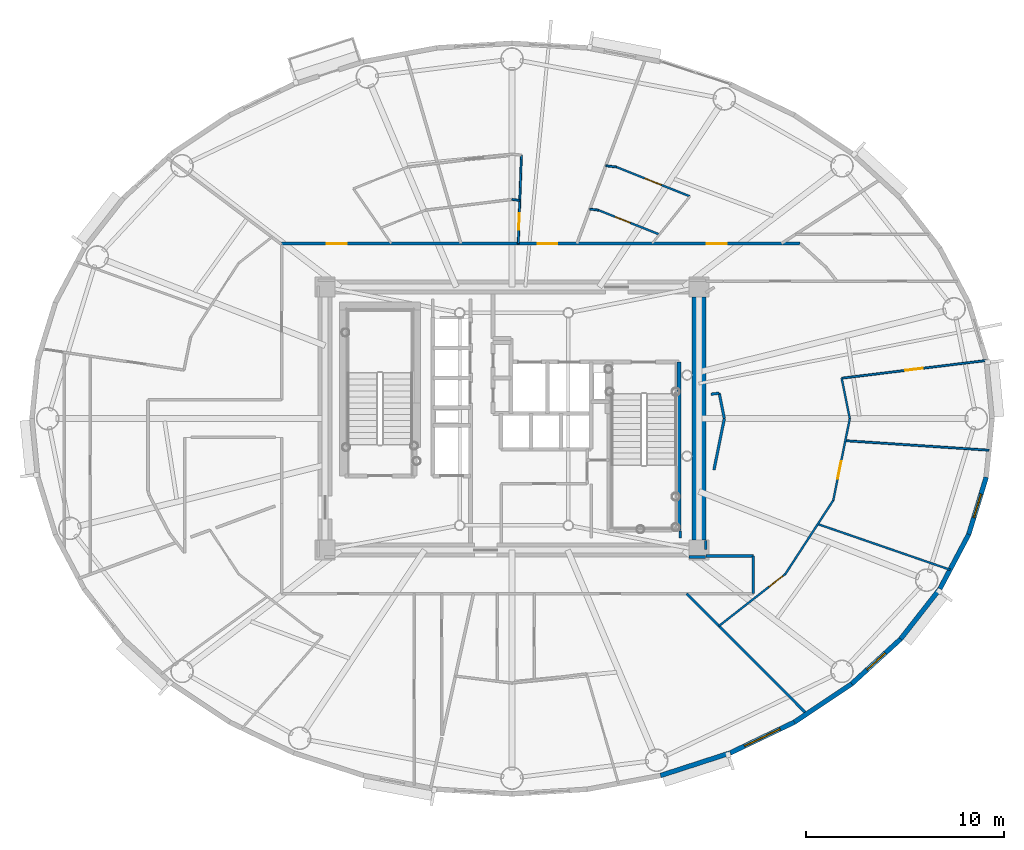
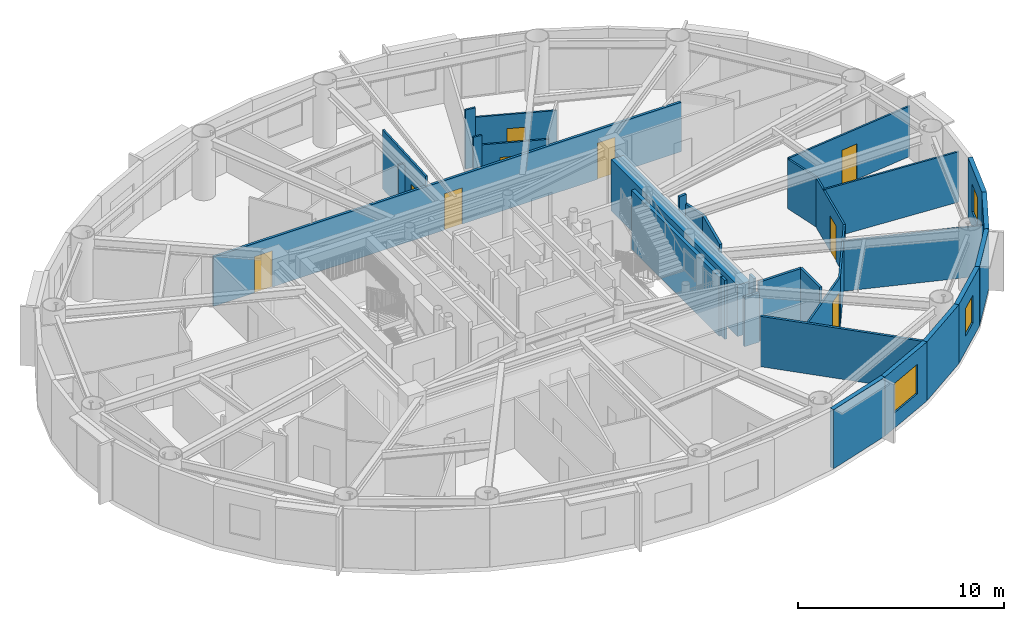
# One storey, part 10 of 19: 32 walls, 9 doors, 3 windows, 12 openings.
"""IFC4 building model written with IfcOpenShell, lengths in metres."""

from ifc_helpers import new_model, si_unit, direction, frame, frame_2d, origin, origin_2d, place, context, subcontext, project, spatial, rectangle, extrude, source, transform, mapped, material, layer, layer_set, type_object, element, fill, save


model = new_model("IFC4")

# Units and contexts
model_context = context("Model", 3, precision=1e-05, world=origin(), true_north=direction((0.0, 1.0)))
body_context = subcontext(model_context, "Body", "Model", "MODEL_VIEW")
ifc_project = project(units=[si_unit("LENGTHUNIT", "METRE"), si_unit("AREAUNIT", "SQUARE_METRE"), si_unit("VOLUMEUNIT", "CUBIC_METRE"), si_unit("PLANEANGLEUNIT", "RADIAN"), si_unit("MASSUNIT", "GRAM", prefix="KILO")], contexts=[model_context])

# Site, building, storey
site_placement = place(None, origin())
site = spatial("IfcSite", under=ifc_project, at=site_placement, CompositionType="ELEMENT")
building_placement = place(site_placement, origin())
building = spatial("IfcBuilding", under=site, at=building_placement, Name="Linh Dai School and Residence Tower", CompositionType="ELEMENT")
storey_placement = place(building_placement, frame((0.0, 0.0, 217.800048828125)))
storey = spatial("IfcBuildingStorey", under=building, at=storey_placement, Name="L53", CompositionType="ELEMENT", Elevation=217.800048828125)

# Wall
ifc_material_1 = material(Name="Precast Concrete B45 (C35/45)", Category="concrete")
ifc_layer_1 = layer(ifc_material_1, 0.239990234375)
ifc_layer_set_1 = layer_set([ifc_layer_1], Name="Precast Concrete B45 (C35/45)")
wall_type_1 = type_object("IfcWallType", Name="EW-TC-240", PredefinedType="SOLIDWALL", material=ifc_layer_set_1)
wall_1_placement = place(storey_placement, frame((47.031005859375, 10.093505859375, 0.0), z_axis=(0.0, 0.0, 1.0), x_axis=(-0.951210789182, -0.308541787354, 0.0)))
element("IfcWall", 1, at=wall_1_placement, inside=storey, type_object=wall_type_1, Name="L53 Terracotta Exterior Wall 33", PredefinedType="SOLIDWALL", context=body_context, shape_type="SweptSolid", body=[
    extrude(rectangle(XDim=3.702392578125, YDim=0.239990234375, at=frame_2d((1.85107421875, 0.0))), origin(), (0.0, 0.0, 1.0), 3.5),
])

# Wall, opening, window
wall_2_placement = place(storey_placement, frame((50.280029296875, 11.65234375, 0.0), z_axis=(0.0, 0.0, 1.0), x_axis=(-0.901598104751, -0.432574684313, 0.0)))
wall_2 = element("IfcWall", 2, at=wall_2_placement, inside=storey, type_object=wall_type_1, Name="L53 Terracotta Exterior Wall 34", PredefinedType="SOLIDWALL", context=body_context, shape_type="SweptSolid", body=[
    extrude(rectangle(XDim=3.603515625, YDim=0.239990234375, at=frame_2d((1.8017578125, 0.0))), origin(), (0.0, 0.0, 1.0), 3.5),
])
opening_1_placement = place(wall_2_placement, frame((0.802001953125, 0.0, 0.89990234375)))
opening_1 = element("IfcOpeningElement", 3, at=opening_1_placement, cuts=wall_2, Name="Opening W1", PredefinedType="OPENING", context=body_context, shape_type="SweptSolid", body=[
    extrude(rectangle(XDim=2.0, YDim=1.75, at=origin_2d()), frame((1.0, 0.1298828125, 0.875), z_axis=(0.0, -1.0, 0.0), x_axis=(1.0, 0.0, 0.0)), (0.0, 0.0, 1.0), 0.260009765625),
])
ifc_material_2 = material(Name="Double Low-E Insulated Glazing", Category="glass")
window_type_1 = type_object("IfcWindowType", Name="WN-RES-2000x1750", PartitioningType="DOUBLE_PANEL_VERTICAL", PredefinedType="WINDOW", material=ifc_material_2)
shared_shape_1 = source(origin(), body_context, "Body", "SweptSolid", [
    extrude(rectangle(XDim=2.0, YDim=1.75, at=origin_2d()), frame((1.0, 0.030029296875, 0.875), z_axis=(0.0, -1.0, 0.0), x_axis=(1.0, 0.0, 0.0)), (0.0, 0.0, 1.0), 0.06005859375),
])
window_1_placement = place(opening_1_placement, origin())
window_1 = element("IfcWindow", 4, at=window_1_placement, inside=storey, type_object=window_type_1, Name="L53 Exterior Window 34.1", OverallHeight=1.75, OverallWidth=2.0, PartitioningType="DOUBLE_PANEL_VERTICAL", PredefinedType="WINDOW", context=body_context, shape_type="MappedRepresentation", body=[
    mapped(shared_shape_1, transform((0.0, 0.0, 0.0), x_axis=(1.0, 0.0, 0.0), y_axis=(0.0, 1.0, 0.0), z_axis=(0.0, 0.0, 1.0), scale=1.0)),
])
fill(opening_1, window_1)

# Wall
wall_3_placement = place(storey_placement, frame((53.17626953125, 13.589111328125, 0.0), z_axis=(0.0, 0.0, 1.0), x_axis=(-0.831262496074, -0.555880079352, 0.0)))
element("IfcWall", 5, at=wall_3_placement, inside=storey, type_object=wall_type_1, Name="L53 Terracotta Exterior Wall 35", PredefinedType="SOLIDWALL", context=body_context, shape_type="SweptSolid", body=[
    extrude(rectangle(XDim=3.484130859375, YDim=0.239990234375, at=frame_2d((1.7421875, 0.0))), origin(), (0.0, 0.0, 1.0), 3.5),
])

# Wall, opening, window
wall_4_placement = place(storey_placement, frame((55.6484375, 15.85546875, 0.0), z_axis=(0.0, 0.0, 1.0), x_axis=(-0.737123922599, -0.675757591694, 0.0)))
wall_4 = element("IfcWall", 6, at=wall_4_placement, inside=storey, type_object=wall_type_1, Name="L53 Terracotta Exterior Wall 36", PredefinedType="SOLIDWALL", context=body_context, shape_type="SweptSolid", body=[
    extrude(rectangle(XDim=3.353759765625, YDim=0.239990234375, at=frame_2d((1.6767578125, 0.0))), origin(), (0.0, 0.0, 1.0), 3.5),
])
opening_2_placement = place(wall_4_placement, frame((1.0517578125, 0.0, 0.89990234375)))
opening_2 = element("IfcOpeningElement", 7, at=opening_2_placement, cuts=wall_4, Name="Opening W3", PredefinedType="OPENING", context=body_context, shape_type="SweptSolid", body=[
    extrude(rectangle(XDim=1.25, YDim=1.64990234375, at=origin_2d()), frame((0.625, 0.1298828125, 0.824951171875), z_axis=(0.0, -1.0, 0.0), x_axis=(1.0, 0.0, 0.0)), (0.0, 0.0, 1.0), 0.260009765625),
])
window_type_2 = type_object("IfcWindowType", Name="WN-RES-1250x1650", PartitioningType="SINGLE_PANEL", PredefinedType="WINDOW", material=ifc_material_2)
shared_shape_2 = source(origin(), body_context, "Body", "SweptSolid", [
    extrude(rectangle(XDim=1.25, YDim=1.64990234375, at=origin_2d()), frame((0.625, 0.030029296875, 0.824951171875), z_axis=(0.0, -1.0, 0.0), x_axis=(1.0, 0.0, 0.0)), (0.0, 0.0, 1.0), 0.06005859375),
])
window_2_placement = place(opening_2_placement, origin())
window_2 = element("IfcWindow", 8, at=window_2_placement, inside=storey, type_object=window_type_2, Name="L53 Dwelling Window U5307-BD1", OverallHeight=1.64990234375, OverallWidth=1.25, PartitioningType="SINGLE_PANEL", PredefinedType="WINDOW", context=body_context, shape_type="MappedRepresentation", body=[
    mapped(shared_shape_2, transform((0.0, 0.0, 0.0), x_axis=(1.0, 0.0, 0.0), y_axis=(0.0, 1.0, 0.0), z_axis=(0.0, 0.0, 1.0), scale=1.0)),
])
fill(opening_2, window_2)

# Walls
wall_5_placement = place(storey_placement, frame((57.6357421875, 18.394775390625, 0.0), z_axis=(0.0, 0.0, 1.0), x_axis=(-0.616312344705, -0.787501805562, 0.0)))
element("IfcWall", 9, at=wall_5_placement, inside=storey, type_object=wall_type_1, Name="L53 Terracotta Exterior Wall 37", PredefinedType="SOLIDWALL", context=body_context, shape_type="SweptSolid", body=[
    extrude(rectangle(XDim=3.224609375, YDim=0.239990234375, at=frame_2d((1.6123046875, 0.0))), origin(), (0.0, 0.0, 1.0), 3.5),
])
wall_6_placement = place(storey_placement, frame((59.09033203125, 21.14404296875, 0.0), z_axis=(0.0, 0.0, 1.0), x_axis=(-0.46766049993, -0.883908172157, 0.0)))
element("IfcWall", 10, at=wall_6_placement, inside=storey, type_object=wall_type_1, Name="L53 Terracotta Exterior Wall 38", PredefinedType="SOLIDWALL", context=body_context, shape_type="SweptSolid", body=[
    extrude(rectangle(XDim=3.1103515625, YDim=0.239990234375, at=frame_2d((1.55517578125, 0.0))), origin(), (0.0, 0.0, 1.0), 3.5),
])

# Wall, opening, window
wall_7_placement = place(storey_placement, frame((59.97705078125, 24.0361328125, 0.0), z_axis=(0.0, 0.0, 1.0), x_axis=(-0.293132907334, -0.95607170162, 0.0)))
wall_7 = element("IfcWall", 11, at=wall_7_placement, inside=storey, type_object=wall_type_1, Name="L53 Terracotta Exterior Wall 39", PredefinedType="SOLIDWALL", context=body_context, shape_type="SweptSolid", body=[
    extrude(rectangle(XDim=3.02490234375, YDim=0.239990234375, at=frame_2d((1.512451171875, 0.0))), origin(), (0.0, 0.0, 1.0), 3.5),
])
opening_3_placement = place(wall_7_placement, frame((0.887451171875, 0.0, 0.89990234375)))
opening_3 = element("IfcOpeningElement", 12, at=opening_3_placement, cuts=wall_7, Name="Opening W3", PredefinedType="OPENING", context=body_context, shape_type="SweptSolid", body=[
    extrude(rectangle(XDim=1.25, YDim=1.64990234375, at=origin_2d()), frame((0.625, 0.1298828125, 0.824951171875), z_axis=(0.0, -1.0, 0.0), x_axis=(1.0, 0.0, 0.0)), (0.0, 0.0, 1.0), 0.260009765625),
])
window_3_placement = place(opening_3_placement, origin())
window_3 = element("IfcWindow", 13, at=window_3_placement, inside=storey, type_object=window_type_2, Name="L53 Exterior Window 39.1", OverallHeight=1.64990234375, OverallWidth=1.25, PartitioningType="SINGLE_PANEL", PredefinedType="WINDOW", context=body_context, shape_type="MappedRepresentation", body=[
    mapped(shared_shape_2, transform((0.0, 0.0, 0.0), x_axis=(1.0, 0.0, 0.0), y_axis=(0.0, 1.0, 0.0), z_axis=(0.0, 0.0, 1.0), scale=1.0)),
])
fill(opening_3, window_3)

# Wall, openings, doors
ifc_material_3 = material(Name="Autoclaved Aerated Concrete Blockwork", Category="masonry")
ifc_layer_2 = layer(ifc_material_3, 0.135009765625)
ifc_layer_set_2 = layer_set([ifc_layer_2], Name="Autoclaved Aerated Concrete Blockwork")
wall_type_2 = type_object("IfcWallType", Name="IW-CORR-135-EI90", PredefinedType="PARTITIONING", material=ifc_layer_set_2)
wall_8_placement = place(storey_placement, frame((24.35009765625, 35.85009765625, 0.0), z_axis=(0.0, 0.0, 1.0), x_axis=(1.0, 0.0, 0.0)))
wall_8 = element("IfcWall", 14, at=wall_8_placement, inside=storey, type_object=wall_type_2, Name="L53 Interior Partition Wall 023", PredefinedType="PARTITIONING", context=body_context, shape_type="SweptSolid", body=[
    extrude(rectangle(XDim=26.2177734375, YDim=0.135009765625, at=frame_2d((13.10888671875, 0.0))), origin(), (0.0, 0.0, 1.0), 2.93505859375),
])
opening_4_placement = place(wall_8_placement, frame((21.506591796875, 0.0, 0.0)))
opening_4 = element("IfcOpeningElement", 15, at=opening_4_placement, cuts=wall_8, Name="Opening D03", PredefinedType="OPENING", context=body_context, shape_type="SweptSolid", body=[
    extrude(rectangle(XDim=1.0, YDim=2.14990234375, at=origin_2d()), frame((0.5, 0.07763671875, 1.074951171875), z_axis=(0.0, -1.0, 0.0), x_axis=(1.0, 0.0, 0.0)), (0.0, 0.0, 1.0), 0.155029296875),
])
opening_5_placement = place(wall_8_placement, frame((12.9501953125, 0.0, 0.0)))
opening_5 = element("IfcOpeningElement", 16, at=opening_5_placement, cuts=wall_8, Name="Opening D03", PredefinedType="OPENING", context=body_context, shape_type="SweptSolid", body=[
    extrude(rectangle(XDim=1.0, YDim=2.14990234375, at=origin_2d()), frame((0.5, 0.07763671875, 1.074951171875), z_axis=(0.0, -1.0, 0.0), x_axis=(1.0, 0.0, 0.0)), (0.0, 0.0, 1.0), 0.155029296875),
])
opening_6_placement = place(wall_8_placement, frame((2.293212890625, 0.0, 0.0)))
opening_6 = element("IfcOpeningElement", 17, at=opening_6_placement, cuts=wall_8, Name="Opening D03", PredefinedType="OPENING", context=body_context, shape_type="SweptSolid", body=[
    extrude(rectangle(XDim=1.0, YDim=2.14990234375, at=origin_2d()), frame((0.5, 0.07763671875, 1.074951171875), z_axis=(0.0, -1.0, 0.0), x_axis=(1.0, 0.0, 0.0)), (0.0, 0.0, 1.0), 0.155029296875),
])
ifc_material_4 = material(Name="Fire-Rated Solid Timber Entrance Door", Category="wood")
door_type_1 = type_object("IfcDoorType", Name="DR-FLAT-1000x2150-FD60S", OperationType="NOTDEFINED", PredefinedType="DOOR", material=ifc_material_4)
shared_shape_3 = source(origin(), body_context, "Body", "SweptSolid", [
    extrude(rectangle(XDim=1.0, YDim=2.14990234375, at=origin_2d()), frame((0.5, 0.02490234375, 1.074951171875), z_axis=(0.0, -1.0, 0.0), x_axis=(1.0, 0.0, 0.0)), (0.0, 0.0, 1.0), 0.050048828125),
])
door_1_placement = place(opening_4_placement, origin())
door_1 = element("IfcDoor", 18, at=door_1_placement, inside=storey, type_object=door_type_1, Name="L53 U5301 Apartment Entrance Door", OperationType="SINGLE_SWING_RIGHT", OverallHeight=2.14990234375, OverallWidth=1.0, PredefinedType="DOOR", context=body_context, shape_type="MappedRepresentation", body=[
    mapped(shared_shape_3, transform((0.0, 0.0, 0.0), x_axis=(1.0, 0.0, 0.0), y_axis=(0.0, 1.0, 0.0), z_axis=(0.0, 0.0, 1.0), scale=1.0)),
])
fill(opening_4, door_1)
door_2_placement = place(opening_5_placement, origin())
door_2 = element("IfcDoor", 19, at=door_2_placement, inside=storey, type_object=door_type_1, Name="L53 U5302 Apartment Entrance Door", OperationType="SINGLE_SWING_LEFT", OverallHeight=2.14990234375, OverallWidth=1.0, PredefinedType="DOOR", context=body_context, shape_type="MappedRepresentation", body=[
    mapped(shared_shape_3, transform((0.0, 0.0, 0.0), x_axis=(1.0, 0.0, 0.0), y_axis=(0.0, 1.0, 0.0), z_axis=(0.0, 0.0, 1.0), scale=1.0)),
])
fill(opening_5, door_2)
door_3_placement = place(opening_6_placement, origin())
door_3 = element("IfcDoor", 20, at=door_3_placement, inside=storey, type_object=door_type_1, Name="L53 U5303 Apartment Entrance Door", OperationType="SINGLE_SWING_RIGHT", OverallHeight=2.14990234375, OverallWidth=1.0, PredefinedType="DOOR", context=body_context, shape_type="MappedRepresentation", body=[
    mapped(shared_shape_3, transform((0.0, 0.0, 0.0), x_axis=(1.0, 0.0, 0.0), y_axis=(0.0, 1.0, 0.0), z_axis=(0.0, 0.0, 1.0), scale=1.0)),
])
fill(opening_6, door_3)

# Walls
wall_9_placement = place(storey_placement, frame((44.83349609375, 18.14990234375, 0.0), z_axis=(0.0, 0.0, 1.0), x_axis=(0.706467502326, -0.707745482612, 0.0)))
element("IfcWall", 21, at=wall_9_placement, inside=storey, type_object=wall_type_2, Name="L53 Interior Partition Wall 080", PredefinedType="PARTITIONING", context=body_context, shape_type="SweptSolid", body=[
    extrude(rectangle(XDim=8.5966796875, YDim=0.135009765625, at=frame_2d((4.29833984375, 0.0))), origin(), (0.0, 0.0, 1.0), 2.98486328125),
])
wall_10_placement = place(storey_placement, frame((45.800048828125, 20.050048828125, 0.0), z_axis=(0.0, 0.0, 1.0), x_axis=(1.0, 0.0, 0.0)))
element("IfcWall", 22, at=wall_10_placement, inside=storey, type_object=wall_type_2, Name="L53 Interior Partition Wall 081", PredefinedType="PARTITIONING", context=body_context, shape_type="SweptSolid", body=[
    extrude(rectangle(XDim=2.39990234375, YDim=0.135009765625, at=frame_2d((1.199951171875, 0.0))), origin(), (0.0, 0.0, 1.0), 3.5),
])
wall_11_placement = place(storey_placement, frame((48.199951171875, 18.14990234375, 0.0), z_axis=(0.0, 0.0, 1.0), x_axis=(0.0, 1.0, 0.0)))
element("IfcWall", 23, at=wall_11_placement, inside=storey, type_object=wall_type_2, Name="L53 Interior Partition Wall 084", PredefinedType="PARTITIONING", context=body_context, shape_type="SweptSolid", body=[
    extrude(rectangle(XDim=1.900146484375, YDim=0.135009765625, at=frame_2d((0.9501953125, 0.0))), origin(), (0.0, 0.0, 1.0), 3.5),
])
wall_12_placement = place(storey_placement, frame((44.5, 20.9599609375, 0.0), z_axis=(0.0, 0.0, 1.0), x_axis=(0.0, 1.0, 0.0)))
element("IfcWall", 24, at=wall_12_placement, inside=storey, type_object=wall_type_2, Name="L53 Interior Partition Wall 100", PredefinedType="PARTITIONING", context=body_context, shape_type="SweptSolid", body=[
    extrude(rectangle(XDim=0.360107421875, YDim=0.135009765625, at=frame_2d((0.18017578125, 0.0))), origin(), (0.0, 0.0, 1.0), 3.5),
])
wall_13_placement = place(storey_placement, frame((44.9599609375, 20.0, 0.0), z_axis=(0.0, 0.0, 1.0), x_axis=(1.0, 0.0, 0.0)))
element("IfcWall", 25, at=wall_13_placement, inside=storey, type_object=wall_type_2, Name="L53 Interior Partition Wall 109", PredefinedType="PARTITIONING", context=body_context, shape_type="SweptSolid", body=[
    extrude(rectangle(XDim=0.830078125, YDim=0.135009765625, at=frame_2d((0.4150390625, 0.0))), origin(), (0.0, 0.0, 1.0), 2.93505859375),
])
wall_14_placement = place(storey_placement, frame((45.800048828125, 20.37744140625, 0.0), z_axis=(0.0, 0.0, 1.0), x_axis=(0.0, 1.0, 0.0)))
element("IfcWall", 26, at=wall_14_placement, inside=storey, type_object=wall_type_2, Name="L53 Interior Partition Wall 114", PredefinedType="PARTITIONING", context=body_context, shape_type="SweptSolid", body=[
    extrude(rectangle(XDim=0.462646484375, YDim=0.135009765625, at=frame_2d((0.2314453125, 0.0))), origin(), (0.0, 0.0, 1.0), 3.5),
])
wall_15_placement = place(storey_placement, frame((46.21044921875, 24.40234375, 0.0), z_axis=(0.0, 0.0, 1.0), x_axis=(0.198330009585, 0.980135300506, 0.0)))
element("IfcWall", 27, at=wall_15_placement, inside=storey, type_object=wall_type_2, Name="L53 Interior Partition Wall 115", PredefinedType="PARTITIONING", context=body_context, shape_type="SweptSolid", body=[
    extrude(rectangle(XDim=2.650390625, YDim=0.135009765625, at=frame_2d((1.3251953125, 0.0))), origin(), (0.0, 0.0, 1.0), 2.93505859375),
])
wall_16_placement = place(storey_placement, frame((46.736083984375, 27.0, 0.0), z_axis=(0.0, 0.0, 1.0), x_axis=(-0.198267784349, 0.980147889703, 0.0)))
element("IfcWall", 28, at=wall_16_placement, inside=storey, type_object=wall_type_2, Name="L53 Interior Partition Wall 116", PredefinedType="PARTITIONING", context=body_context, shape_type="SweptSolid", body=[
    extrude(rectangle(XDim=1.308837890625, YDim=0.135009765625, at=frame_2d((0.654296875, 0.0))), origin(), (0.0, 0.0, 1.0), 2.93505859375),
])
wall_17_placement = place(storey_placement, frame((46.4765625, 28.282958984375, 0.0), z_axis=(0.0, 0.0, 1.0), x_axis=(-0.992649287811, -0.121026407893, 0.0)))
element("IfcWall", 29, at=wall_17_placement, inside=storey, type_object=wall_type_2, Name="L53 Interior Partition Wall 117", PredefinedType="PARTITIONING", context=body_context, shape_type="SweptSolid", body=[
    extrude(rectangle(XDim=0.419677734375, YDim=0.135009765625, at=frame_2d((0.2099609375, 0.0))), origin(), (0.0, 0.0, 1.0), 3.5),
])
ifc_material_5 = material(Name="Concrete B45 (C35/45)", Category="concrete")
ifc_layer_3 = layer(ifc_material_5, 0.199951171875)
ifc_layer_set_3 = layer_set([ifc_layer_3], Name="Concrete B45 (C35/45)")
wall_type_3 = type_object("IfcWallType", Name="IW-SHAFT-200-EI120", PredefinedType="PARTITIONING", material=ifc_layer_set_3)
wall_18_placement = place(storey_placement, frame((44.43994140625, 21.330078125, 0.0), z_axis=(0.0, 0.0, 1.0), x_axis=(0.0, 1.0, 0.0)))
element("IfcWall", 30, at=wall_18_placement, inside=storey, type_object=wall_type_3, Name="L53 Interior Partition Wall 079", PredefinedType="PARTITIONING", context=body_context, shape_type="SweptSolid", body=[
    extrude(rectangle(XDim=8.52001953125, YDim=0.199951171875, at=frame_2d((4.260009765625, 0.0))), origin(), (0.0, 0.0, 1.0), 3.5),
])
ifc_material_6 = material(Name="Gypsum Plasterboard Acoustic Stud Partition", Category="masonry")
ifc_layer_4 = layer(ifc_material_6, 0.10009765625)
ifc_layer_set_4 = layer_set([ifc_layer_4], Name="Gypsum Plasterboard Acoustic Stud Partition")
wall_type_4 = type_object("IfcWallType", Name="IW-UNIT-100", PredefinedType="PARTITIONING", material=ifc_layer_set_4)
wall_19_placement = place(storey_placement, frame((36.0, 38.080810546875, 0.0), z_axis=(0.0, 0.0, 1.0), x_axis=(0.99240043869, -0.123050271381, 0.0)))
element("IfcWall", 31, at=wall_19_placement, inside=storey, type_object=wall_type_4, Name="L53 Interior Partition Wall 059", PredefinedType="PARTITIONING", context=body_context, shape_type="SweptSolid", body=[
    extrude(rectangle(XDim=0.396728515625, YDim=0.10009765625, at=frame_2d((0.1982421875, 0.0))), origin(), (0.0, 0.0, 1.0), 2.93505859375),
])

# Wall, opening, door
wall_20_placement = place(storey_placement, frame((36.31591796875, 35.85009765625, 0.0), z_axis=(0.0, 0.0, 1.0), x_axis=(0.035687631784, 0.99936299358, 0.0)))
wall_20 = element("IfcWall", 32, at=wall_20_placement, inside=storey, type_object=wall_type_4, Name="L53 Interior Partition Wall 061", PredefinedType="PARTITIONING", context=body_context, shape_type="SweptSolid", body=[
    extrude(rectangle(XDim=4.46728515625, YDim=0.10009765625, at=frame_2d((2.233642578125, 0.0))), origin(), (0.0, 0.0, 1.0), 3.5),
])
opening_7_placement = place(wall_20_placement, frame((0.70166015625, 0.0, 0.0)))
opening_7 = element("IfcOpeningElement", 33, at=opening_7_placement, cuts=wall_20, Name="Opening D06", PredefinedType="OPENING", context=body_context, shape_type="SweptSolid", body=[
    extrude(rectangle(XDim=0.820068359375, YDim=2.10009765625, at=origin_2d()), frame((0.41015625, 0.06005859375, 1.050048828125), z_axis=(0.0, -1.0, 0.0), x_axis=(1.0, 0.0, 0.0)), (0.0, 0.0, 1.0), 0.1201171875),
])
ifc_material_7 = material(Name="Moisture-Resistant Timber Bathroom Door", Category="wood")
door_type_2 = type_object("IfcDoorType", Name="DR-WET-820x2100", OperationType="NOTDEFINED", PredefinedType="DOOR", material=ifc_material_7)
shared_shape_4 = source(origin(), body_context, "Body", "SweptSolid", [
    extrude(rectangle(XDim=0.820068359375, YDim=2.10009765625, at=origin_2d()), frame((0.41015625, 0.02490234375, 1.050048828125), z_axis=(0.0, -1.0, 0.0), x_axis=(1.0, 0.0, 0.0)), (0.0, 0.0, 1.0), 0.050048828125),
])
door_4_placement = place(opening_7_placement, origin())
door_4 = element("IfcDoor", 34, at=door_4_placement, inside=storey, type_object=door_type_2, Name="L53 Apartment U5302 Bathroom Door", OperationType="SINGLE_SWING_RIGHT", OverallHeight=2.10009765625, OverallWidth=0.820068359375, PredefinedType="DOOR", context=body_context, shape_type="MappedRepresentation", body=[
    mapped(shared_shape_4, transform((0.0, 0.0, 0.0), x_axis=(1.0, 0.0, 0.0), y_axis=(0.0, 1.0, 0.0), z_axis=(0.0, 0.0, 1.0), scale=1.0)),
])
fill(opening_7, door_4)

# Wall
wall_21_placement = place(storey_placement, frame((39.931884765625, 37.59326171875, 0.0), z_axis=(0.0, 0.0, 1.0), x_axis=(0.992412401992, -0.122953748919, 0.0)))
element("IfcWall", 35, at=wall_21_placement, inside=storey, type_object=wall_type_4, Name="L53 Interior Partition Wall 070", PredefinedType="PARTITIONING", context=body_context, shape_type="SweptSolid", body=[
    extrude(rectangle(XDim=0.44482421875, YDim=0.10009765625, at=frame_2d((0.222412109375, 0.0))), origin(), (0.0, 0.0, 1.0), 3.5),
])

# Wall, opening, door
wall_22_placement = place(storey_placement, frame((40.373291015625, 37.53857421875, 0.0), z_axis=(0.0, 0.0, 1.0), x_axis=(0.928801257211, -0.370578230071, 0.0)))
wall_22 = element("IfcWall", 36, at=wall_22_placement, inside=storey, type_object=wall_type_4, Name="L53 Interior Partition Wall 073", PredefinedType="PARTITIONING", context=body_context, shape_type="SweptSolid", body=[
    extrude(rectangle(XDim=3.31640625, YDim=0.10009765625, at=frame_2d((1.658203125, 0.0))), origin(), (0.0, 0.0, 1.0), 2.93505859375),
])
opening_8_placement = place(wall_22_placement, frame((0.90966796875, 0.0, 0.0)))
opening_8 = element("IfcOpeningElement", 37, at=opening_8_placement, cuts=wall_22, Name="Opening D06", PredefinedType="OPENING", context=body_context, shape_type="SweptSolid", body=[
    extrude(rectangle(XDim=0.820068359375, YDim=2.10009765625, at=origin_2d()), frame((0.41015625, 0.06005859375, 1.050048828125), z_axis=(0.0, -1.0, 0.0), x_axis=(1.0, 0.0, 0.0)), (0.0, 0.0, 1.0), 0.1201171875),
])
door_5_placement = place(opening_8_placement, origin())
door_5 = element("IfcDoor", 38, at=door_5_placement, inside=storey, type_object=door_type_2, Name="L53 Apartment U5301 Bathroom Door", OperationType="SINGLE_SWING_RIGHT", OverallHeight=2.10009765625, OverallWidth=0.820068359375, PredefinedType="DOOR", context=body_context, shape_type="MappedRepresentation", body=[
    mapped(shared_shape_4, transform((0.0, 0.0, 0.0), x_axis=(1.0, 0.0, 0.0), y_axis=(0.0, 1.0, 0.0), z_axis=(0.0, 0.0, 1.0), scale=1.0)),
])
fill(opening_8, door_5)

# Wall
wall_23_placement = place(storey_placement, frame((40.745361328125, 39.784912109375, 0.0), z_axis=(0.0, 0.0, 1.0), x_axis=(0.992431053699, -0.122803109303, 0.0)))
element("IfcWall", 39, at=wall_23_placement, inside=storey, type_object=wall_type_4, Name="L53 Interior Partition Wall 074", PredefinedType="PARTITIONING", context=body_context, shape_type="SweptSolid", body=[
    extrude(rectangle(XDim=0.536865234375, YDim=0.10009765625, at=frame_2d((0.2685546875, 0.0))), origin(), (0.0, 0.0, 1.0), 3.5),
])

# Wall, opening, door
wall_24_placement = place(storey_placement, frame((41.278076171875, 39.718994140625, 0.0), z_axis=(0.0, 0.0, 1.0), x_axis=(0.928808650267, -0.3705596999, 0.0)))
wall_24 = element("IfcWall", 40, at=wall_24_placement, inside=storey, type_object=wall_type_4, Name="L53 Interior Partition Wall 077", PredefinedType="PARTITIONING", context=body_context, shape_type="SweptSolid", body=[
    extrude(rectangle(XDim=4.00244140625, YDim=0.10009765625, at=frame_2d((2.001220703125, 0.0))), origin(), (0.0, 0.0, 1.0), 2.93505859375),
])
opening_9_placement = place(wall_24_placement, frame((1.55126953125, 0.0, 0.0)))
opening_9 = element("IfcOpeningElement", 41, at=opening_9_placement, cuts=wall_24, Name="Opening D05", PredefinedType="OPENING", context=body_context, shape_type="SweptSolid", body=[
    extrude(rectangle(XDim=0.89990234375, YDim=2.10009765625, at=origin_2d()), frame((0.449951171875, 0.06005859375, 1.050048828125), z_axis=(0.0, -1.0, 0.0), x_axis=(1.0, 0.0, 0.0)), (0.0, 0.0, 1.0), 0.1201171875),
])
ifc_material_8 = material(Name="Engineered Timber Internal Door", Category="wood")
door_type_3 = type_object("IfcDoorType", Name="DR-INT-900x2100", OperationType="NOTDEFINED", PredefinedType="DOOR", material=ifc_material_8)
shared_shape_5 = source(origin(), body_context, "Body", "SweptSolid", [
    extrude(rectangle(XDim=0.89990234375, YDim=2.10009765625, at=origin_2d()), frame((0.449951171875, 0.02490234375, 1.050048828125), z_axis=(0.0, -1.0, 0.0), x_axis=(1.0, 0.0, 0.0)), (0.0, 0.0, 1.0), 0.050048828125),
])
door_6_placement = place(opening_9_placement, origin())
door_6 = element("IfcDoor", 42, at=door_6_placement, inside=storey, type_object=door_type_3, Name="L53 Apartment U5301 Kitchen Door", OperationType="SINGLE_SWING_LEFT", OverallHeight=2.10009765625, OverallWidth=0.89990234375, PredefinedType="DOOR", context=body_context, shape_type="MappedRepresentation", body=[
    mapped(shared_shape_5, transform((0.0, 0.0, 0.0), x_axis=(1.0, 0.0, 0.0), y_axis=(0.0, 1.0, 0.0), z_axis=(0.0, 0.0, 1.0), scale=1.0)),
])
fill(opening_9, door_6)

wall_25_placement = place(storey_placement, frame((46.466064453125, 16.5146484375, 0.0), z_axis=(0.0, 0.0, 1.0), x_axis=(0.787371868093, 0.616478338092, 0.0)))
wall_25 = element("IfcWall", 43, at=wall_25_placement, inside=storey, type_object=wall_type_4, Name="L53 Interior Partition Wall 082", PredefinedType="PARTITIONING", context=body_context, shape_type="SweptSolid", body=[
    extrude(rectangle(XDim=4.25732421875, YDim=0.10009765625, at=frame_2d((2.128662109375, 0.0))), origin(), (0.0, 0.0, 1.0), 2.93505859375),
])
opening_10_placement = place(wall_25_placement, frame((3.206298828125, 0.0, 0.0)))
opening_10 = element("IfcOpeningElement", 44, at=opening_10_placement, cuts=wall_25, Name="Opening D05", PredefinedType="OPENING", context=body_context, shape_type="SweptSolid", body=[
    extrude(rectangle(XDim=0.89990234375, YDim=2.10009765625, at=origin_2d()), frame((0.449951171875, 0.06005859375, 1.050048828125), z_axis=(0.0, -1.0, 0.0), x_axis=(1.0, 0.0, 0.0)), (0.0, 0.0, 1.0), 0.1201171875),
])
door_7_placement = place(opening_10_placement, origin())
door_7 = element("IfcDoor", 45, at=door_7_placement, inside=storey, type_object=door_type_3, Name="L53 Apartment U5307 Principal Bedroom 1 Door", OperationType="SINGLE_SWING_RIGHT", OverallHeight=2.10009765625, OverallWidth=0.89990234375, PredefinedType="DOOR", context=body_context, shape_type="MappedRepresentation", body=[
    mapped(shared_shape_5, transform((0.0, 0.0, 0.0), x_axis=(1.0, 0.0, 0.0), y_axis=(0.0, 1.0, 0.0), z_axis=(0.0, 0.0, 1.0), scale=1.0)),
])
fill(opening_10, door_7)

# Walls
wall_26_placement = place(storey_placement, frame((49.818115234375, 19.13916015625, 0.0), z_axis=(0.0, 0.0, 1.0), x_axis=(0.545406924684, 0.83817139447, 0.0)))
element("IfcWall", 46, at=wall_26_placement, inside=storey, type_object=wall_type_4, Name="L53 Interior Partition Wall 086", PredefinedType="PARTITIONING", context=body_context, shape_type="SweptSolid", body=[
    extrude(rectangle(XDim=4.447998046875, YDim=0.10009765625, at=frame_2d((2.22412109375, 0.0))), origin(), (0.0, 0.0, 1.0), 2.93505859375),
])
wall_27_placement = place(storey_placement, frame((51.4619140625, 21.665283203125, 0.0), z_axis=(0.0, 0.0, 1.0), x_axis=(0.945326038311, -0.326126787142, 0.0)))
element("IfcWall", 47, at=wall_27_placement, inside=storey, type_object=wall_type_4, Name="L53 Interior Partition Wall 089", PredefinedType="PARTITIONING", context=body_context, shape_type="SweptSolid", body=[
    extrude(rectangle(XDim=7.075927734375, YDim=0.10009765625, at=frame_2d((3.5380859375, 0.0))), origin(), (0.0, 0.0, 1.0), 2.98486328125),
])

# Wall, opening, door
wall_28_placement = place(storey_placement, frame((52.244140625, 22.867431640625, 0.0), z_axis=(0.0, 0.0, 1.0), x_axis=(0.198264809747, 0.980148491411, 0.0)))
wall_28 = element("IfcWall", 48, at=wall_28_placement, inside=storey, type_object=wall_type_4, Name="L53 Interior Partition Wall 091", PredefinedType="PARTITIONING", context=body_context, shape_type="SweptSolid", body=[
    extrude(rectangle(XDim=4.21630859375, YDim=0.10009765625, at=frame_2d((2.108154296875, 0.0))), origin(), (0.0, 0.0, 1.0), 2.93505859375),
])
opening_11_placement = place(wall_28_placement, frame((1.10791015625, 0.0, 0.0)))
opening_11 = element("IfcOpeningElement", 49, at=opening_11_placement, cuts=wall_28, Name="Opening D05", PredefinedType="OPENING", context=body_context, shape_type="SweptSolid", body=[
    extrude(rectangle(XDim=0.89990234375, YDim=2.10009765625, at=origin_2d()), frame((0.449951171875, 0.06005859375, 1.050048828125), z_axis=(0.0, -1.0, 0.0), x_axis=(1.0, 0.0, 0.0)), (0.0, 0.0, 1.0), 0.1201171875),
])
door_8_placement = place(opening_11_placement, origin())
door_8 = element("IfcDoor", 50, at=door_8_placement, inside=storey, type_object=door_type_3, Name="L53 Apartment U5307 Principal Bedroom 2 Door", OperationType="SINGLE_SWING_LEFT", OverallHeight=2.10009765625, OverallWidth=0.89990234375, PredefinedType="DOOR", context=body_context, shape_type="MappedRepresentation", body=[
    mapped(shared_shape_5, transform((0.0, 0.0, 0.0), x_axis=(1.0, 0.0, 0.0), y_axis=(0.0, 1.0, 0.0), z_axis=(0.0, 0.0, 1.0), scale=1.0)),
])
fill(opening_11, door_8)

# Wall
wall_29_placement = place(storey_placement, frame((52.6669921875, 29.041259765625, 0.0), z_axis=(0.0, 0.0, 1.0), x_axis=(0.198347441677, -0.980131772967, 0.0)))
element("IfcWall", 51, at=wall_29_placement, inside=storey, type_object=wall_type_4, Name="L53 Interior Partition Wall 093", PredefinedType="PARTITIONING", context=body_context, shape_type="SweptSolid", body=[
    extrude(rectangle(XDim=2.08251953125, YDim=0.10009765625, at=frame_2d((1.041259765625, 0.0))), origin(), (0.0, 0.0, 1.0), 2.93505859375),
])

# Wall, opening, door
wall_30_placement = place(storey_placement, frame((52.6669921875, 29.041259765625, 0.0), z_axis=(0.0, 0.0, 1.0), x_axis=(0.992583045475, 0.121568490306, 0.0)))
wall_30 = element("IfcWall", 52, at=wall_30_placement, inside=storey, type_object=wall_type_4, Name="L53 Interior Partition Wall 094", PredefinedType="PARTITIONING", context=body_context, shape_type="SweptSolid", body=[
    extrude(rectangle(XDim=7.372314453125, YDim=0.10009765625, at=frame_2d((3.68603515625, 0.0))), origin(), (0.0, 0.0, 1.0), 2.98486328125),
])
opening_12_placement = place(wall_30_placement, frame((3.236083984375, 0.0, 0.0)))
opening_12 = element("IfcOpeningElement", 53, at=opening_12_placement, cuts=wall_30, Name="Opening D05", PredefinedType="OPENING", context=body_context, shape_type="SweptSolid", body=[
    extrude(rectangle(XDim=0.89990234375, YDim=2.10009765625, at=origin_2d()), frame((0.449951171875, 0.06005859375, 1.050048828125), z_axis=(0.0, -1.0, 0.0), x_axis=(1.0, 0.0, 0.0)), (0.0, 0.0, 1.0), 0.1201171875),
])
door_9_placement = place(opening_12_placement, origin())
door_9 = element("IfcDoor", 54, at=door_9_placement, inside=storey, type_object=door_type_3, Name="L53 Apartment U5307 Study Door", OperationType="SINGLE_SWING_RIGHT", OverallHeight=2.10009765625, OverallWidth=0.89990234375, PredefinedType="DOOR", context=body_context, shape_type="MappedRepresentation", body=[
    mapped(shared_shape_5, transform((0.0, 0.0, 0.0), x_axis=(1.0, 0.0, 0.0), y_axis=(0.0, 1.0, 0.0), z_axis=(0.0, 0.0, 1.0), scale=1.0)),
])
fill(opening_12, door_9)

# Walls
wall_31_placement = place(storey_placement, frame((52.853759765625, 25.882080078125, 0.0), z_axis=(0.0, 0.0, 1.0), x_axis=(0.997807208554, -0.06618741993, 0.0)))
element("IfcWall", 55, at=wall_31_placement, inside=storey, type_object=wall_type_4, Name="L53 Interior Partition Wall 095", PredefinedType="PARTITIONING", context=body_context, shape_type="SweptSolid", body=[
    extrude(rectangle(XDim=7.28125, YDim=0.10009765625, at=frame_2d((3.640625, 0.0))), origin(), (0.0, 0.0, 1.0), 2.98486328125),
])
ifc_layer_5 = layer(ifc_material_5, 0.699951171875)
ifc_layer_set_5 = layer_set([ifc_layer_5], Name="Concrete B45 (C35/45)")
wall_type_5 = type_object("IfcWallType", Name="WL-CORE700", PredefinedType="SHEAR", material=ifc_layer_set_5)
wall_32_placement = place(storey_placement, frame((45.449951171875, 33.14990234375, 0.0), z_axis=(0.0, 0.0, 1.0), x_axis=(0.0, -1.0, 0.0)))
element("IfcWall", 56, at=wall_32_placement, inside=storey, type_object=wall_type_5, Name="L53 Central Core Shear Wall E", PredefinedType="SHEAR", context=body_context, shape_type="SweptSolid", body=[
    extrude(rectangle(XDim=12.2998046875, YDim=0.699951171875, at=frame_2d((6.14990234375, 0.0))), origin(), (0.0, 0.0, 1.0), 3.050048828125),
])

save(model, "model.ifc")
